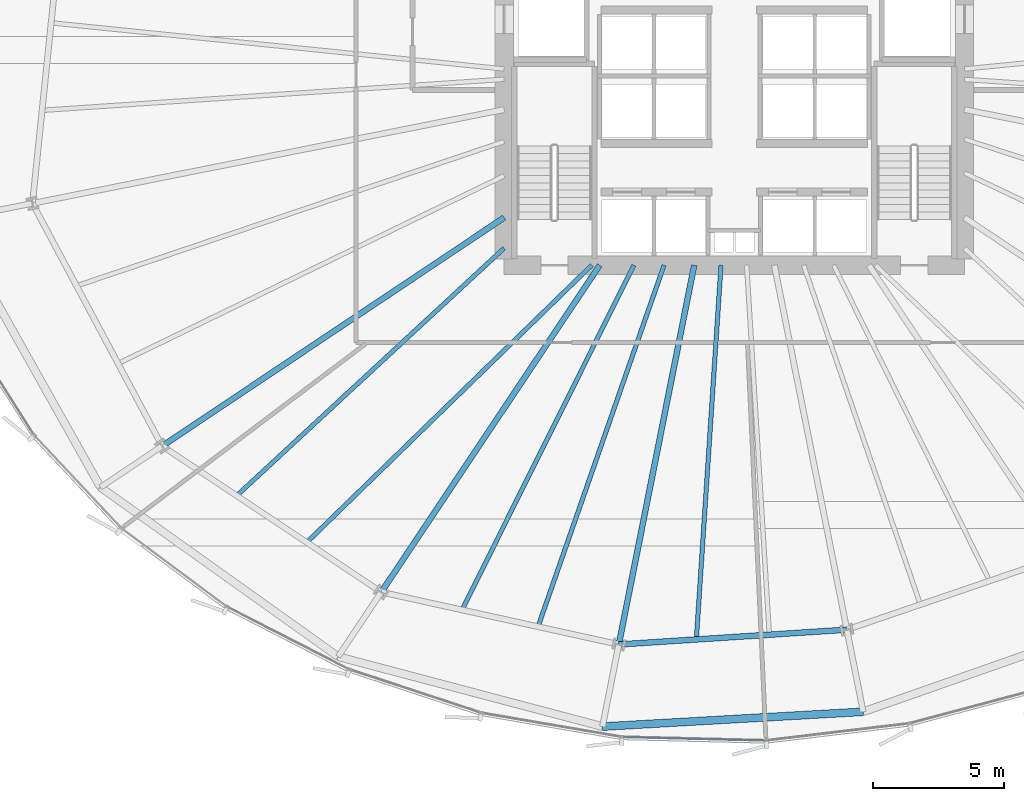
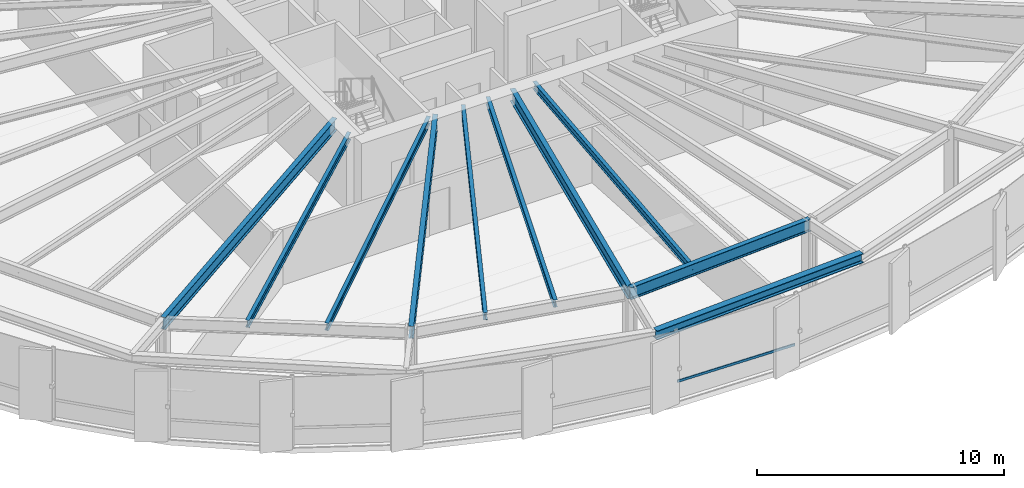
# One storey, part 6 of 39: 10 beams, 1 member, 1 element without a shape of its own.
"""IFC4 building model written with IfcOpenShell, lengths in metres."""

from ifc_helpers import new_model, si_unit, direction, frame, origin, origin_2d, place, context, subcontext, project, spatial, hollow_rectangle, i_section, extrude, source, transform, mapped, material, layer, layer_set, material_profile, profile_set, type_object, element, aggregate, save


model = new_model("IFC4")

# Units and contexts
model_context = context("Model", 3, precision=1e-05, world=origin(), true_north=direction((0.0, 1.0)))
body_context = subcontext(model_context, "Body", "Model", "MODEL_VIEW")
ifc_project = project(units=[si_unit("LENGTHUNIT", "METRE"), si_unit("AREAUNIT", "SQUARE_METRE"), si_unit("VOLUMEUNIT", "CUBIC_METRE"), si_unit("PLANEANGLEUNIT", "RADIAN"), si_unit("MASSUNIT", "GRAM", prefix="KILO"), si_unit("THERMODYNAMICTEMPERATUREUNIT", "KELVIN")], contexts=[model_context])

# Site, building, storey
site_placement = place(None, origin())
site = spatial("IfcSite", under=ifc_project, at=site_placement, CompositionType="ELEMENT")
building_placement = place(site_placement, origin())
building = spatial("IfcBuilding", under=site, at=building_placement, Name="Kethvar Cultural Tower", CompositionType="ELEMENT")
storey_placement = place(building_placement, frame((0.0, 0.0, 41.0)))
storey = spatial("IfcBuildingStorey", under=building, at=storey_placement, Name="L09", CompositionType="ELEMENT", Elevation=41.0)

# Beams
ifc_material_1 = material(Name="Steel S355J2", Category="steel")
ifc_material_profile_1 = material_profile(ifc_material_1, i_section(OverallWidth=0.219970703125, OverallDepth=0.60009765625, WebThickness=0.011962890625, FlangeThickness=0.01904296875, FilletRadius=0.02392578125, at=origin_2d()), Name="Steel S355J2 — IPE600")
ifc_profile_set_1 = profile_set([ifc_material_profile_1], Name="Steel S355J2 — IPE600")
beam_type_1 = type_object("IfcBeamType", Name="BM-IPE600", PredefinedType="BEAM", material=ifc_profile_set_1)
shared_shape_1 = source(origin(), body_context, "Body", "SweptSolid", [
    extrude(i_section(OverallWidth=0.219970703125, OverallDepth=0.60009765625, WebThickness=0.011962890625, FlangeThickness=0.01904296875, FilletRadius=0.02392578125, at=origin_2d()), origin(), (0.0, 0.0, 1.0), 15.725341796875),
])
beam_1_placement = place(storey_placement, frame((38.0, 21.919921875, 3.248046875), z_axis=(-0.831469433959, -0.555570499929, 0.0), x_axis=(0.555570499929, -0.831469433959, 0.0)))
element("IfcBeam", 1, at=beam_1_placement, inside=storey, type_object=beam_type_1, Name="L09 Primary Radial Beam RB-10", PredefinedType="BEAM", context=body_context, shape_type="MappedRepresentation", body=[
    mapped(shared_shape_1, transform((0.0, 0.0, 0.0), scale=1.0)),
])
shared_shape_2 = source(origin(), body_context, "Body", "SweptSolid", [
    extrude(i_section(OverallWidth=0.219970703125, OverallDepth=0.60009765625, WebThickness=0.011962890625, FlangeThickness=0.01904296875, FilletRadius=0.02392578125, at=origin_2d()), origin(), (0.0, 0.0, 1.0), 15.03515625),
])
beam_2_placement = place(storey_placement, frame((41.655029296875, 20.10009765625, 3.248046875), z_axis=(-0.555569254616, -0.83147026605, 0.0), x_axis=(0.83147026605, -0.555569254616, 0.0)))
element("IfcBeam", 2, at=beam_2_placement, inside=storey, type_object=beam_type_1, Name="L09 Primary Radial Beam RB-11", PredefinedType="BEAM", context=body_context, shape_type="MappedRepresentation", body=[
    mapped(shared_shape_2, transform((0.0, 0.0, 0.0), scale=1.0)),
])
shared_shape_3 = source(origin(), body_context, "Body", "SweptSolid", [
    extrude(i_section(OverallWidth=0.219970703125, OverallDepth=0.60009765625, WebThickness=0.011962890625, FlangeThickness=0.01904296875, FilletRadius=0.02392578125, at=origin_2d()), origin(), (0.0, 0.0, 1.0), 14.7880859375),
])
beam_3_placement = place(storey_placement, frame((45.268310546875, 20.10009765625, 3.248046875), z_axis=(-0.1950905456, -0.98078523593, 0.0), x_axis=(0.98078523593, -0.1950905456, 0.0)))
element("IfcBeam", 3, at=beam_3_placement, inside=storey, type_object=beam_type_1, Name="L09 Primary Radial Beam RB-12", PredefinedType="BEAM", context=body_context, shape_type="MappedRepresentation", body=[
    mapped(shared_shape_3, transform((0.0, 0.0, 0.0), scale=1.0)),
])
ifc_material_profile_2 = material_profile(ifc_material_1, i_section(OverallWidth=0.169921875, OverallDepth=0.360107421875, WebThickness=0.008056640625, FlangeThickness=0.0126953125, FilletRadius=0.01806640625, at=origin_2d()), Name="Steel S355J2 — IPE360")
ifc_profile_set_2 = profile_set([ifc_material_profile_2], Name="Steel S355J2 — IPE360")
beam_type_2 = type_object("IfcBeamType", Name="BM-J360", PredefinedType="JOIST", material=ifc_profile_set_2)
shared_shape_4 = source(origin(), body_context, "Body", "SweptSolid", [
    extrude(i_section(OverallWidth=0.169921875, OverallDepth=0.360107421875, WebThickness=0.008056640625, FlangeThickness=0.0126953125, FilletRadius=0.01806640625, at=origin_2d()), origin(), (0.0, 0.0, 1.0), 13.93505859375),
])
beam_4_placement = place(storey_placement, frame((38.0, 20.75, 3.367919921875), z_axis=(-0.733909459287, -0.679247308106, 0.0), x_axis=(0.679247308106, -0.733909459287, 0.0)))
element("IfcBeam", 4, at=beam_4_placement, inside=storey, type_object=beam_type_2, Name="L09 Composite Floor Joist J-10A", PredefinedType="JOIST", context=body_context, shape_type="MappedRepresentation", body=[
    mapped(shared_shape_4, transform((0.0, 0.0, 0.0), scale=1.0)),
])
shared_shape_5 = source(origin(), body_context, "Body", "SweptSolid", [
    extrude(i_section(OverallWidth=0.169921875, OverallDepth=0.360107421875, WebThickness=0.008056640625, FlangeThickness=0.0126953125, FilletRadius=0.01806640625, at=origin_2d()), origin(), (0.0, 0.0, 1.0), 15.20361328125),
])
beam_5_placement = place(storey_placement, frame((41.35009765625, 20.10009765625, 3.367919921875), z_axis=(-0.716707709325, -0.697373687053, 0.0), x_axis=(0.697373687053, -0.716707709325, 0.0)))
element("IfcBeam", 5, at=beam_5_placement, inside=storey, type_object=beam_type_2, Name="L09 Composite Floor Joist J-10B", PredefinedType="JOIST", context=body_context, shape_type="MappedRepresentation", body=[
    mapped(shared_shape_5, transform((0.0, 0.0, 0.0), scale=1.0)),
])
shared_shape_6 = source(origin(), body_context, "Body", "SweptSolid", [
    extrude(i_section(OverallWidth=0.169921875, OverallDepth=0.360107421875, WebThickness=0.008056640625, FlangeThickness=0.0126953125, FilletRadius=0.01806640625, at=origin_2d()), origin(), (0.0, 0.0, 1.0), 14.729248046875),
])
beam_6_placement = place(storey_placement, frame((42.961181640625, 20.10009765625, 3.367919921875), z_axis=(-0.446152473361, -0.894956965733, 0.0), x_axis=(0.894956965733, -0.446152473361, 0.0)))
element("IfcBeam", 6, at=beam_6_placement, inside=storey, type_object=beam_type_2, Name="L09 Composite Floor Joist J-11A", PredefinedType="JOIST", context=body_context, shape_type="MappedRepresentation", body=[
    mapped(shared_shape_6, transform((0.0, 0.0, 0.0), scale=1.0)),
])
shared_shape_7 = source(origin(), body_context, "Body", "SweptSolid", [
    extrude(i_section(OverallWidth=0.169921875, OverallDepth=0.360107421875, WebThickness=0.008056640625, FlangeThickness=0.0126953125, FilletRadius=0.01806640625, at=origin_2d()), origin(), (0.0, 0.0, 1.0), 14.63916015625),
])
beam_7_placement = place(storey_placement, frame((44.115234375, 20.10009765625, 3.367919921875), z_axis=(-0.329226238223, -0.94425107046, 0.0), x_axis=(0.94425107046, -0.329226238223, 0.0)))
element("IfcBeam", 7, at=beam_7_placement, inside=storey, type_object=beam_type_2, Name="L09 Composite Floor Joist J-11B", PredefinedType="JOIST", context=body_context, shape_type="MappedRepresentation", body=[
    mapped(shared_shape_7, transform((0.0, 0.0, 0.0), scale=1.0)),
])
shared_shape_8 = source(origin(), body_context, "Body", "SweptSolid", [
    extrude(i_section(OverallWidth=0.219970703125, OverallDepth=0.60009765625, WebThickness=0.011962890625, FlangeThickness=0.01904296875, FilletRadius=0.02392578125, at=origin_2d()), origin(), (0.0, 0.0, 1.0), 8.739013671875),
])
beam_8_placement = place(storey_placement, frame((42.38330078125, 5.59619140625, 3.248046875), z_axis=(0.997897424084, 0.064813046581, 0.0), x_axis=(-0.064813046581, 0.997897424084, 0.0)))
element("IfcBeam", 8, at=beam_8_placement, inside=storey, type_object=beam_type_1, Name="L09 Column Ring Tie Beam CR-12", PredefinedType="BEAM", context=body_context, shape_type="MappedRepresentation", body=[
    mapped(shared_shape_8, transform((0.0, 0.0, 0.0), scale=1.0)),
])
ifc_material_profile_3 = material_profile(ifc_material_1, i_section(OverallWidth=0.300048828125, OverallDepth=0.449951171875, WebThickness=0.013916015625, FlangeThickness=0.02587890625, FilletRadius=0.027099609375, at=origin_2d()), Name="Steel S355J2 — HEB450")
ifc_profile_set_3 = profile_set([ifc_material_profile_3], Name="Steel S355J2 — HEB450")
beam_type_3 = type_object("IfcBeamType", Name="BM-SP450", PredefinedType="SPANDREL", material=ifc_profile_set_3)
shared_shape_9 = source(origin(), body_context, "Body", "SweptSolid", [
    extrude(i_section(OverallWidth=0.300048828125, OverallDepth=0.449951171875, WebThickness=0.013916015625, FlangeThickness=0.02587890625, FilletRadius=0.027099609375, at=origin_2d()), origin(), (0.0, 0.0, 1.0), 9.9853515625),
])
beam_9_placement = place(storey_placement, frame((41.759033203125, 2.45751953125, 3.322998046875), z_axis=(0.998388517249, 0.056748291829, 0.0), x_axis=(-0.056748291829, 0.998388517249, 0.0)))
element("IfcBeam", 9, at=beam_9_placement, inside=storey, type_object=beam_type_3, Name="L09 Perimeter Spandrel Beam SP-12", PredefinedType="SPANDREL", context=body_context, shape_type="MappedRepresentation", body=[
    mapped(shared_shape_9, transform((0.0, 0.0, 0.0), scale=1.0)),
])
shared_shape_10 = source(origin(), body_context, "Body", "SweptSolid", [
    extrude(i_section(OverallWidth=0.169921875, OverallDepth=0.360107421875, WebThickness=0.008056640625, FlangeThickness=0.0126953125, FilletRadius=0.01806640625, at=origin_2d()), origin(), (0.0, 0.0, 1.0), 14.34228515625),
])
beam_10_placement = place(storey_placement, frame((46.292236328125, 20.10009765625, 3.367919921875), z_axis=(-0.065808348808, -0.997832281111, 0.0), x_axis=(0.997832281111, -0.065808348808, 0.0)))
element("IfcBeam", 10, at=beam_10_placement, inside=storey, type_object=beam_type_2, Name="L09 Composite Floor Joist J-12A", PredefinedType="JOIST", context=body_context, shape_type="MappedRepresentation", body=[
    mapped(shared_shape_10, transform((0.0, 0.0, 0.0), scale=1.0)),
])

# Curtain wall, member
ifc_material_2 = material(Name="Aluminium 6063-T6", Category="aluminium")
ifc_layer = layer(ifc_material_2, 0.179931640625, Name="Aluminium 6063-T6", Category="aluminium")
ifc_layer_set = layer_set([ifc_layer], Name="Aluminium 6063-T6 (180 mm)")
curtain_wall_type = type_object("IfcCurtainWallType", Name="CW-SYS-02-Z1", PredefinedType="NOTDEFINED", material=ifc_layer_set)
curtain_wall_placement = place(storey_placement, origin())
curtain_wall = element("IfcCurtainWall", 11, at=curtain_wall_placement, inside=storey, type_object=curtain_wall_type, Name="L09 Curtain Wall Run 05", PredefinedType="NOTDEFINED")
ifc_material_profile_4 = material_profile(ifc_material_2, hollow_rectangle(XDim=0.054931640625, YDim=0.1201171875, WallThickness=0.00390625, at=origin_2d()), Name="Aluminium 6063-T6 — RHS120x55x4")
ifc_profile_set_4 = profile_set([ifc_material_profile_4], Name="Aluminium 6063-T6 — RHS120x55x4")
member_type = type_object("IfcMemberType", Name="CW-SYS-02-Z1-TRN", PredefinedType="USERDEFINED", material=ifc_profile_set_4)
shared_shape_11 = source(origin(), body_context, "Body", "SweptSolid", [
    extrude(hollow_rectangle(XDim=0.054931640625, YDim=0.1201171875, WallThickness=0.00390625, at=origin_2d()), origin(), (0.0, 0.0, 1.0), 5.433349609375),
])
member_placement = place(storey_placement, frame((42.550537109375, 2.059326171875, 0.949951171875), z_axis=(0.999700093657, -0.024489237282, 0.0), x_axis=(0.024489237282, 0.999700093657, 0.0)))
member = element("IfcMember", 12, at=member_placement, type_object=member_type, Name="CW-L09-R05 Transom 3", ObjectType="TRANSOM", PredefinedType="USERDEFINED", context=body_context, shape_type="MappedRepresentation", body=[
    mapped(shared_shape_11, transform((0.0, 0.0, 0.0), scale=1.0)),
])
aggregate(curtain_wall, [member])

save(model, "model.ifc")
